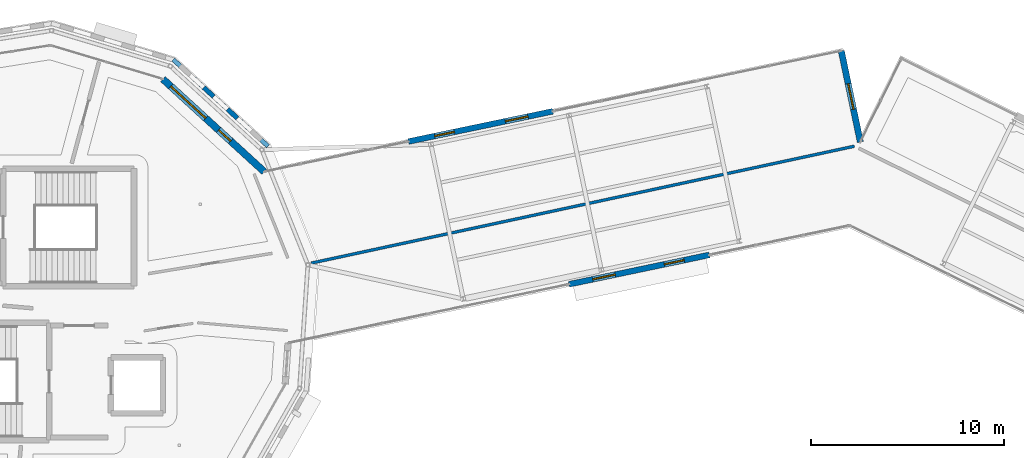
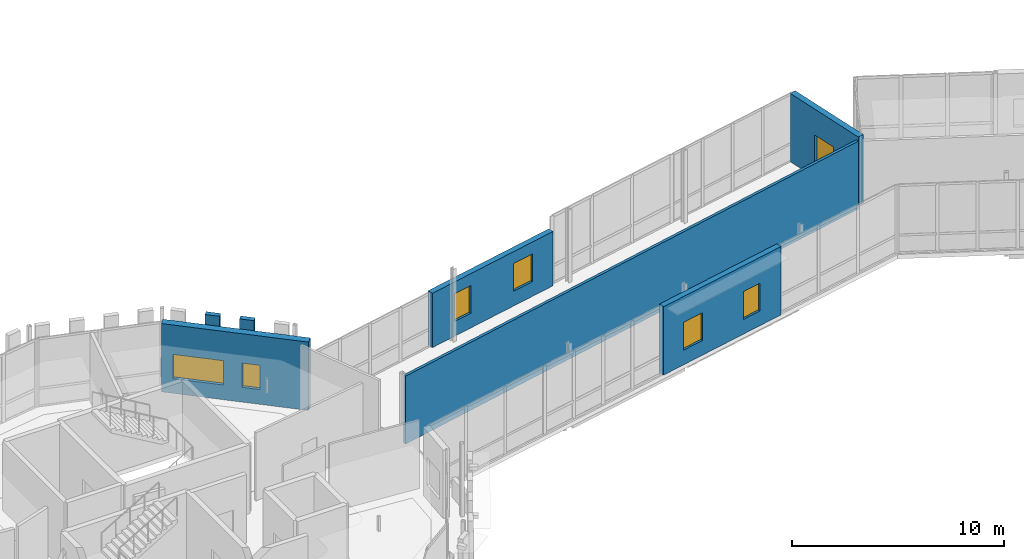
# One storey, part 97 of 125: 8 walls, 7 windows, 7 openings.
"""IFC4 building model written with IfcOpenShell, lengths in metres."""

from ifc_helpers import new_model, si_unit, direction, frame, frame_2d, origin, place, context, subcontext, project, spatial, rectangle, extrude, material, layer, layer_set, type_object, element, fill, save


model = new_model("IFC4")

# Units and contexts
model_context = context("Model", 3, precision=1e-05, world=origin(), true_north=direction((0.0, 1.0)))
body_context = subcontext(model_context, "Body", "Model", "MODEL_VIEW")
ifc_project = project(units=[si_unit("LENGTHUNIT", "METRE"), si_unit("AREAUNIT", "SQUARE_METRE"), si_unit("VOLUMEUNIT", "CUBIC_METRE"), si_unit("PLANEANGLEUNIT", "RADIAN"), si_unit("MASSUNIT", "GRAM", prefix="KILO")], contexts=[model_context])

# Site, building, storey
site_placement = place(None, origin())
site = spatial("IfcSite", under=ifc_project, at=site_placement, CompositionType="ELEMENT")
building_placement = place(site_placement, origin())
building = spatial("IfcBuilding", under=site, at=building_placement, Name="Wrenclough Park School", CompositionType="ELEMENT")
storey_placement = place(building_placement, frame((0.0, 0.0, 4.199951171875)))
storey = spatial("IfcBuildingStorey", under=building, at=storey_placement, Name="L01", CompositionType="ELEMENT", Elevation=4.199951171875)

# Walls
ifc_material_1 = material(Name="Perforated open-bond Staffordshire and Manchester brick screen pier", Category="masonry")
ifc_layer_1 = layer(ifc_material_1, 0.2451171875)
ifc_layer_set_1 = layer_set([ifc_layer_1], Name="Perforated open-bond Staffordshire and Manchester brick screen pier")
wall_type_1 = type_object("IfcWallType", Name="ENV-BS-PR245", PredefinedType="ELEMENTEDWALL", material=ifc_layer_set_1)
for number, where, z_axis, x_axis, name in (
    (1, (93.619384765625, 118.36181640625, 1.090087890625), (0.0, 0.0, 1.0), (-0.738093238047, 0.674698726803, 0.0), "D4 L01 perforated brick screen pier 0310"),
    (2, (92.3876953125, 119.48779296875, 1.090087890625), (0.0, 0.0, 1.0), (-0.738093238047, 0.674698726803, 0.0), "D4 L01 perforated brick screen pier 0311"),
):
    element("IfcWall", number, at=place(storey_placement, frame(where, z_axis=z_axis, x_axis=x_axis)), inside=storey, type_object=wall_type_1, Name=name, PredefinedType="ELEMENTEDWALL", context=body_context, shape_type="SweptSolid", body=[
        extrude(rectangle(XDim=0.700927734375, YDim=0.2451171875, at=frame_2d((0.3505859375, 0.0))), origin(), (0.0, 0.0, 1.0), 2.849853515625),
    ])
ifc_material_2 = material(Name="Open-bond Manchester multi-stock brick spandrel screen", Category="masonry")
ifc_layer_2 = layer(ifc_material_2, 0.22509765625)
ifc_layer_set_2 = layer_set([ifc_layer_2], Name="Open-bond Manchester multi-stock brick spandrel screen")
wall_type_2 = type_object("IfcWallType", Name="ENV-BS-SP225", PredefinedType="ELEMENTEDWALL", material=ifc_layer_set_2)
wall_1_placement = place(storey_placement, frame((95.20849609375, 116.909423828125, 0.0), z_axis=(0.0, 0.0, 1.0), x_axis=(-0.738121953815, 0.674667311566, 0.0)))
element("IfcWall", 3, at=wall_1_placement, inside=storey, type_object=wall_type_2, Name="D4 L01 open-bond brick screen spandrel 0084", PredefinedType="ELEMENTEDWALL", context=body_context, shape_type="SweptSolid", body=[
    extrude(rectangle(XDim=6.67529296875, YDim=0.22509765625, at=frame_2d((3.337646484375, 0.0))), origin(), (0.0, 0.0, 1.0), 1.090087890625),
])

# Wall, openings, windows
ifc_material_3 = material(Name="Manchester multi-stock brick and Concrete C32/40 inner leaf", Category="masonry")
ifc_layer_3 = layer(ifc_material_3, 0.300048828125)
ifc_layer_set_3 = layer_set([ifc_layer_3], Name="Manchester multi-stock brick and Concrete C32/40 inner leaf")
wall_type_3 = type_object("IfcWallType", Name="ENV-EW-300", PredefinedType="SOLIDWALL", material=ifc_layer_set_3)
wall_2_placement = place(storey_placement, frame((102.49609375, 117.15771484375, 0.0), z_axis=(0.0, 0.0, 1.0), x_axis=(0.978795534935, 0.204839695351, 0.0)))
wall_2 = element("IfcWall", 4, at=wall_2_placement, inside=storey, type_object=wall_type_3, Name="L01 insulated brick external wall 0088", PredefinedType="SOLIDWALL", context=body_context, shape_type="SweptSolid", body=[
    extrude(rectangle(XDim=7.65185546875, YDim=0.300048828125, at=frame_2d((3.825927734375, 0.0))), origin(), (0.0, 0.0, 1.0), 3.132080078125),
])
opening_1_placement = place(wall_2_placement, frame((1.387939453125, 0.0, 0.85009765625)))
opening_1 = element("IfcOpeningElement", 5, at=opening_1_placement, cuts=wall_2, Name="Opening WN-14", PredefinedType="OPENING", context=body_context, shape_type="SweptSolid", body=[
    extrude(rectangle(XDim=1.050048828125, YDim=1.60009765625, at=frame_2d((0.52490234375, 0.800048828125))), frame((0.0, 0.159912109375, 0.0), z_axis=(0.0, -1.0, 0.0), x_axis=(1.0, 0.0, 0.0)), (0.0, 0.0, 1.0), 0.320068359375),
])
opening_2_placement = place(wall_2_placement, frame((5.138916015625, 0.0, 0.85009765625)))
opening_2 = element("IfcOpeningElement", 6, at=opening_2_placement, cuts=wall_2, Name="Opening WN-15", PredefinedType="OPENING", context=body_context, shape_type="SweptSolid", body=[
    extrude(rectangle(XDim=1.199951171875, YDim=1.60009765625, at=frame_2d((0.60009765625, 0.800048828125))), frame((0.0, 0.159912109375, 0.0), z_axis=(0.0, -1.0, 0.0), x_axis=(1.0, 0.0, 0.0)), (0.0, 0.0, 1.0), 0.320068359375),
])
ifc_material_4 = material(Name="Thermally broken aluminium and double-glazed low-e glass", Category="aluminium")
window_type_1 = type_object("IfcWindowType", Name="ENV-WN-14", PartitioningType="SINGLE_PANEL", PredefinedType="WINDOW", material=ifc_material_4)
window_1_placement = place(opening_1_placement, origin())
window_1 = element("IfcWindow", 7, at=window_1_placement, inside=storey, type_object=window_type_1, Name="L01 scheduled facade window 0125", OverallHeight=1.60009765625, OverallWidth=1.050048828125, PartitioningType="SINGLE_PANEL", PredefinedType="WINDOW", context=body_context, shape_type="SweptSolid", body=[
    extrude(rectangle(XDim=1.050048828125, YDim=1.60009765625, at=frame_2d((0.52490234375, 0.800048828125))), frame((0.0, 0.030029296875, 0.0), z_axis=(0.0, -1.0, 0.0), x_axis=(1.0, 0.0, 0.0)), (0.0, 0.0, 1.0), 0.06005859375),
])
fill(opening_1, window_1)
window_type_2 = type_object("IfcWindowType", Name="ENV-WN-15", PartitioningType="SINGLE_PANEL", PredefinedType="WINDOW", material=ifc_material_4)
window_2_placement = place(opening_2_placement, origin())
window_2 = element("IfcWindow", 8, at=window_2_placement, inside=storey, type_object=window_type_2, Name="L01 scheduled facade window 0126", OverallHeight=1.60009765625, OverallWidth=1.199951171875, PartitioningType="SINGLE_PANEL", PredefinedType="WINDOW", context=body_context, shape_type="SweptSolid", body=[
    extrude(rectangle(XDim=1.199951171875, YDim=1.60009765625, at=frame_2d((0.60009765625, 0.800048828125))), frame((0.0, 0.030029296875, 0.0), z_axis=(0.0, -1.0, 0.0), x_axis=(1.0, 0.0, 0.0)), (0.0, 0.0, 1.0), 0.06005859375),
])
fill(opening_2, window_2)

wall_3_placement = place(storey_placement, frame((118.11181640625, 111.27197265625, 0.0), z_axis=(0.0, 0.0, 1.0), x_axis=(-0.978787720784, -0.20487703054, 0.0)))
wall_3 = element("IfcWall", 9, at=wall_3_placement, inside=storey, type_object=wall_type_3, Name="L01 insulated brick external wall 0120", PredefinedType="SOLIDWALL", context=body_context, shape_type="SweptSolid", body=[
    extrude(rectangle(XDim=7.44775390625, YDim=0.300048828125, at=frame_2d((3.723876953125, 0.0))), origin(), (0.0, 0.0, 1.0), 3.93994140625),
])
opening_3_placement = place(wall_3_placement, frame((1.3369140625, 0.0, 0.85009765625)))
opening_3 = element("IfcOpeningElement", 10, at=opening_3_placement, cuts=wall_3, Name="Opening WN-14", PredefinedType="OPENING", context=body_context, shape_type="SweptSolid", body=[
    extrude(rectangle(XDim=1.050048828125, YDim=1.60009765625, at=frame_2d((0.52490234375, 0.800048828125))), frame((0.0, 0.159912109375, 0.0), z_axis=(0.0, -1.0, 0.0), x_axis=(1.0, 0.0, 0.0)), (0.0, 0.0, 1.0), 0.320068359375),
])
opening_4_placement = place(wall_3_placement, frame((4.98583984375, 0.0, 0.85009765625)))
opening_4 = element("IfcOpeningElement", 11, at=opening_4_placement, cuts=wall_3, Name="Opening WN-15", PredefinedType="OPENING", context=body_context, shape_type="SweptSolid", body=[
    extrude(rectangle(XDim=1.199951171875, YDim=1.60009765625, at=frame_2d((0.60009765625, 0.800048828125))), frame((0.0, 0.159912109375, 0.0), z_axis=(0.0, -1.0, 0.0), x_axis=(1.0, 0.0, 0.0)), (0.0, 0.0, 1.0), 0.320068359375),
])
window_3_placement = place(opening_3_placement, origin())
window_3 = element("IfcWindow", 12, at=window_3_placement, inside=storey, type_object=window_type_1, Name="L01 scheduled facade window 0181", OverallHeight=1.60009765625, OverallWidth=1.050048828125, PartitioningType="SINGLE_PANEL", PredefinedType="WINDOW", context=body_context, shape_type="SweptSolid", body=[
    extrude(rectangle(XDim=1.050048828125, YDim=1.60009765625, at=frame_2d((0.52490234375, 0.800048828125))), frame((0.0, 0.030029296875, 0.0), z_axis=(0.0, -1.0, 0.0), x_axis=(1.0, 0.0, 0.0)), (0.0, 0.0, 1.0), 0.06005859375),
])
fill(opening_3, window_3)
window_4_placement = place(opening_4_placement, origin())
window_4 = element("IfcWindow", 13, at=window_4_placement, inside=storey, type_object=window_type_2, Name="L01 scheduled facade window 0182", OverallHeight=1.60009765625, OverallWidth=1.199951171875, PartitioningType="SINGLE_PANEL", PredefinedType="WINDOW", context=body_context, shape_type="SweptSolid", body=[
    extrude(rectangle(XDim=1.199951171875, YDim=1.60009765625, at=frame_2d((0.60009765625, 0.800048828125))), frame((0.0, 0.030029296875, 0.0), z_axis=(0.0, -1.0, 0.0), x_axis=(1.0, 0.0, 0.0)), (0.0, 0.0, 1.0), 0.06005859375),
])
fill(opening_4, window_4)

# Wall, opening, window
ifc_layer_4 = layer(ifc_material_3, 0.324951171875)
ifc_layer_set_4 = layer_set([ifc_layer_4], Name="Manchester multi-stock brick and Concrete C32/40 inner leaf")
wall_type_4 = type_object("IfcWallType", Name="ENV-EW-325", PredefinedType="SOLIDWALL", material=ifc_layer_set_4)
wall_4_placement = place(storey_placement, frame((124.964599609375, 121.8603515625, 0.0), z_axis=(0.0, 0.0, 1.0), x_axis=(0.20488118306, -0.978786851581, 0.0)))
wall_4 = element("IfcWall", 14, at=wall_4_placement, inside=storey, type_object=wall_type_4, Name="L01 insulated brick external wall 0089", PredefinedType="SOLIDWALL", context=body_context, shape_type="SweptSolid", body=[
    extrude(rectangle(XDim=4.8271484375, YDim=0.324951171875, at=frame_2d((2.41357421875, 0.0))), origin(), (0.0, 0.0, 1.0), 3.93994140625),
])
opening_5_placement = place(wall_4_placement, frame((1.738525390625, 0.0, 0.85009765625)))
opening_5 = element("IfcOpeningElement", 15, at=opening_5_placement, cuts=wall_4, Name="Opening WN-16", PredefinedType="OPENING", context=body_context, shape_type="SweptSolid", body=[
    extrude(rectangle(XDim=1.35009765625, YDim=1.60009765625, at=frame_2d((0.675048828125, 0.800048828125))), frame((0.0, 0.17236328125, 0.0), z_axis=(0.0, -1.0, 0.0), x_axis=(1.0, 0.0, 0.0)), (0.0, 0.0, 1.0), 0.344970703125),
])
window_type_3 = type_object("IfcWindowType", Name="ENV-WN-16", PartitioningType="SINGLE_PANEL", PredefinedType="WINDOW", material=ifc_material_4)
window_5_placement = place(opening_5_placement, origin())
window_5 = element("IfcWindow", 16, at=window_5_placement, inside=storey, type_object=window_type_3, Name="L01 scheduled facade window 0127", OverallHeight=1.60009765625, OverallWidth=1.35009765625, PartitioningType="SINGLE_PANEL", PredefinedType="WINDOW", context=body_context, shape_type="SweptSolid", body=[
    extrude(rectangle(XDim=1.35009765625, YDim=1.60009765625, at=frame_2d((0.675048828125, 0.800048828125))), frame((0.0, 0.030029296875, 0.0), z_axis=(0.0, -1.0, 0.0), x_axis=(1.0, 0.0, 0.0)), (0.0, 0.0, 1.0), 0.06005859375),
])
fill(opening_5, window_5)

# Wall, openings, windows
ifc_material_5 = material(Name="Faceted courtyard brick-cavity wall Concrete C35/45", Category="masonry")
ifc_layer_5 = layer(ifc_material_5, 0.364990234375)
ifc_layer_set_5 = layer_set([ifc_layer_5], Name="Faceted courtyard brick-cavity wall Concrete C35/45")
wall_type_5 = type_object("IfcWallType", Name="ENV-EW-365", PredefinedType="SOLIDWALL", material=ifc_layer_set_5)
wall_5_placement = place(storey_placement, frame((89.74951171875, 120.3955078125, 0.0), z_axis=(0.0, 0.0, 1.0), x_axis=(0.738102453677, -0.674688645136, 0.0)))
wall_5 = element("IfcWall", 17, at=wall_5_placement, inside=storey, type_object=wall_type_5, Name="L01 insulated brick external wall 0087", PredefinedType="SOLIDWALL", context=body_context, shape_type="SweptSolid", body=[
    extrude(rectangle(XDim=7.122314453125, YDim=0.364990234375, at=frame_2d((3.56103515625, 0.0))), origin(), (0.0, 0.0, 1.0), 3.93994140625),
])
opening_6_placement = place(wall_5_placement, frame((0.5556640625, 0.0, 0.85009765625)))
opening_6 = element("IfcOpeningElement", 18, at=opening_6_placement, cuts=wall_5, Name="Opening WN-12", PredefinedType="OPENING", context=body_context, shape_type="SweptSolid", body=[
    extrude(rectangle(XDim=2.449951171875, YDim=1.39990234375, at=frame_2d((1.22509765625, 0.699951171875))), frame((0.0, 0.1923828125, 0.0), z_axis=(0.0, -1.0, 0.0), x_axis=(1.0, 0.0, 0.0)), (0.0, 0.0, 1.0), 0.385009765625),
])
opening_7_placement = place(wall_5_placement, frame((3.9111328125, 0.0, 0.85009765625)))
opening_7 = element("IfcOpeningElement", 19, at=opening_7_placement, cuts=wall_5, Name="Opening WN-01", PredefinedType="OPENING", context=body_context, shape_type="SweptSolid", body=[
    extrude(rectangle(XDim=0.85009765625, YDim=1.39990234375, at=frame_2d((0.425048828125, 0.699951171875))), frame((0.0, 0.1923828125, 0.0), z_axis=(0.0, -1.0, 0.0), x_axis=(1.0, 0.0, 0.0)), (0.0, 0.0, 1.0), 0.385009765625),
])
window_type_4 = type_object("IfcWindowType", Name="ENV-WN-01", PartitioningType="SINGLE_PANEL", PredefinedType="WINDOW", material=ifc_material_4)
window_6_placement = place(opening_7_placement, origin())
window_6 = element("IfcWindow", 20, at=window_6_placement, inside=storey, type_object=window_type_4, Name="L01 scheduled facade window 0124", OverallHeight=1.39990234375, OverallWidth=0.85009765625, PartitioningType="SINGLE_PANEL", PredefinedType="WINDOW", context=body_context, shape_type="SweptSolid", body=[
    extrude(rectangle(XDim=0.85009765625, YDim=1.39990234375, at=frame_2d((0.425048828125, 0.699951171875))), frame((0.0, 0.030029296875, 0.0), z_axis=(0.0, -1.0, 0.0), x_axis=(1.0, 0.0, 0.0)), (0.0, 0.0, 1.0), 0.06005859375),
])
fill(opening_7, window_6)
window_type_5 = type_object("IfcWindowType", Name="ENV-WN-12", PartitioningType="DOUBLE_PANEL_VERTICAL", PredefinedType="WINDOW", material=ifc_material_4)
window_7_placement = place(opening_6_placement, origin())
window_7 = element("IfcWindow", 21, at=window_7_placement, inside=storey, type_object=window_type_5, Name="L01 scheduled facade window 0123", OverallHeight=1.39990234375, OverallWidth=2.449951171875, PartitioningType="SINGLE_PANEL", PredefinedType="WINDOW", context=body_context, shape_type="SweptSolid", body=[
    extrude(rectangle(XDim=2.449951171875, YDim=1.39990234375, at=frame_2d((1.22509765625, 0.699951171875))), frame((0.0, 0.030029296875, 0.0), z_axis=(0.0, -1.0, 0.0), x_axis=(1.0, 0.0, 0.0)), (0.0, 0.0, 1.0), 0.06005859375),
])
fill(opening_6, window_7)

# Wall
ifc_material_6 = material(Name="Protected corridor partition", Category="gypsum")
ifc_layer_6 = layer(ifc_material_6, 0.14990234375)
ifc_layer_set_6 = layer_set([ifc_layer_6], Name="Protected corridor partition")
wall_type_6 = type_object("IfcWallType", Name="INT-PW-150", PredefinedType="PARTITIONING", material=ifc_layer_set_6)
wall_6_placement = place(storey_placement, frame((97.449462890625, 110.845458984375, 0.0), z_axis=(0.0, 0.0, 1.0), x_axis=(0.977609006718, 0.210429631903, 0.0)))
element("IfcWall", 22, at=wall_6_placement, inside=storey, type_object=wall_type_6, Name="L01 internal partition 0299", PredefinedType="PARTITIONING", context=body_context, shape_type="SweptSolid", body=[
    extrude(rectangle(XDim=28.842529296875, YDim=0.14990234375, at=frame_2d((14.42138671875, 0.0))), origin(), (0.0, 0.0, 1.0), 3.9150390625),
])

save(model, "model.ifc")
